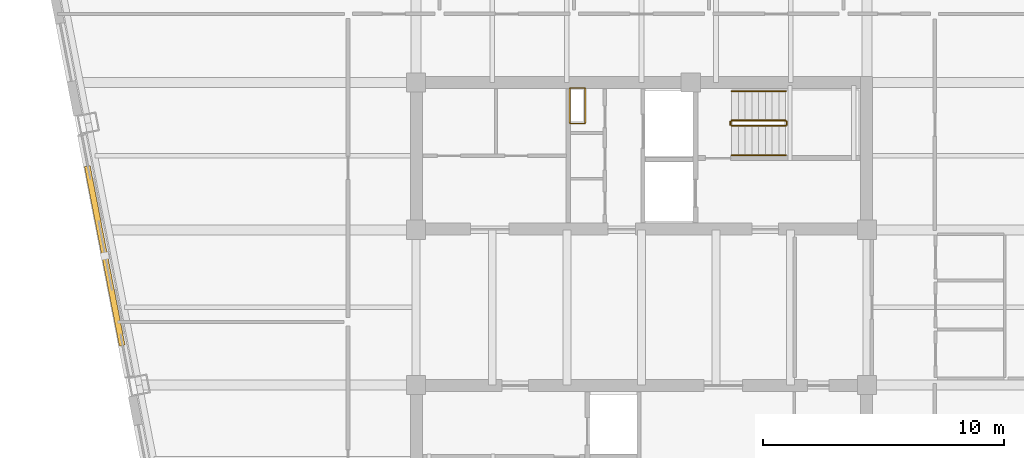
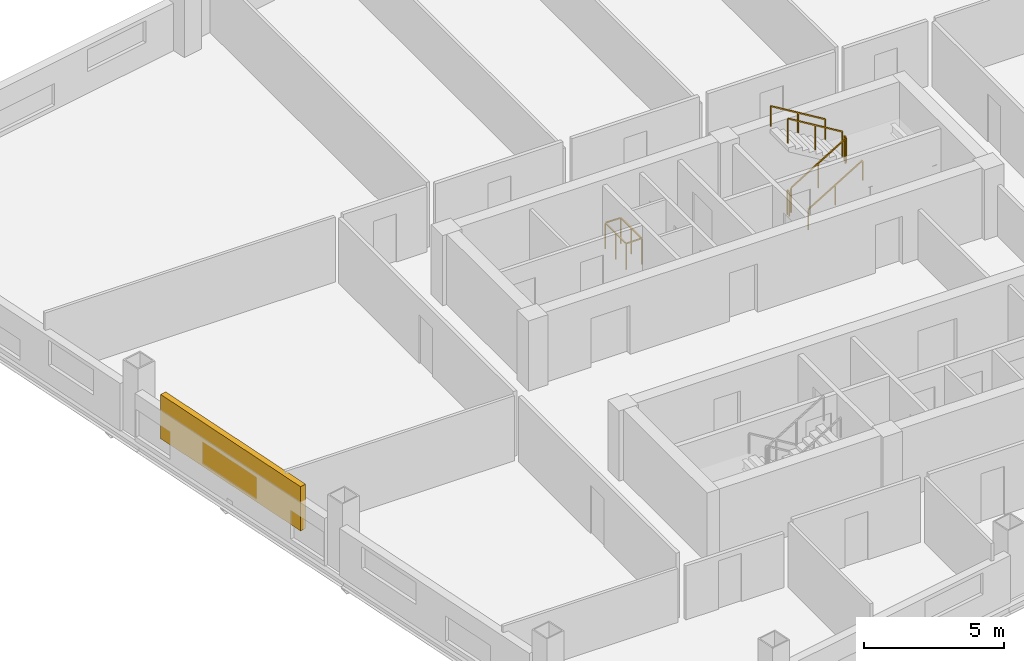
# One storey, part 8 of 9: 7 railings, 1 shading device.
"""IFC4 building model written with IfcOpenShell, lengths in metres."""

from ifc_helpers import new_model, si_unit, direction, frame, origin, origin_2d, place, context, subcontext, project, spatial, rectangle, extrude, material, type_object, element, save


model = new_model("IFC4")

# Units and contexts
model_context = context("Model", 3, precision=1e-05, world=origin(), true_north=direction((0.0, 1.0)))
body_context = subcontext(model_context, "Body", "Model", "MODEL_VIEW")
ifc_project = project(units=[si_unit("LENGTHUNIT", "METRE"), si_unit("AREAUNIT", "SQUARE_METRE"), si_unit("VOLUMEUNIT", "CUBIC_METRE"), si_unit("PLANEANGLEUNIT", "RADIAN"), si_unit("MASSUNIT", "GRAM", prefix="KILO")], contexts=[model_context])

# Site, building, storey
site_placement = place(None, origin())
site = spatial("IfcSite", under=ifc_project, at=site_placement, CompositionType="ELEMENT")
building_placement = place(site_placement, origin())
building = spatial("IfcBuilding", under=site, at=building_placement, Name="Qhalaya Broadcast Tower", CompositionType="ELEMENT")
storey_placement = place(building_placement, frame((0.0, 0.0, 121.949951171875)))
storey = spatial("IfcBuildingStorey", under=building, at=storey_placement, Name="L35", CompositionType="ELEMENT", Elevation=121.949951171875)

# Railings
ifc_material_1 = material(Name="Powder-Coated Galvanised Steel", Category="steel")
railing_type_1 = type_object("IfcRailingType", Name="Stair Wall Handrail 900", PredefinedType="HANDRAIL", material=ifc_material_1)
railing_1_placement = place(storey_placement, frame((3.75, 6.929931640625, 0.16943359375)))
element("IfcRailing", 1, at=railing_1_placement, inside=storey, type_object=railing_type_1, Name="L35 ST-1 Stair Handrail 1", PredefinedType="HANDRAIL", context=body_context, shape_type="SweptSolid", body=[
    extrude(rectangle(XDim=0.048095703125, YDim=0.048095703125, at=origin_2d()), frame((0.0, 0.0, 0.8759765625), z_axis=(0.855512035549, 0.0, 0.517782924622), x_axis=(0.0, 1.0, 0.0)), (0.0, 0.0, 1.0), 2.618408203125),
    extrude(rectangle(XDim=0.0419921875, YDim=0.0419921875, at=origin_2d()), origin(), (0.0, 0.0, 1.0), 0.849853515625),
    extrude(rectangle(XDim=0.0419921875, YDim=0.0419921875, at=origin_2d()), frame((1.1201171875, 0.0, 0.677734375)), (0.0, 0.0, 1.0), 0.849853515625),
    extrude(rectangle(XDim=0.0419921875, YDim=0.0419921875, at=origin_2d()), frame((2.239990234375, 0.0, 1.355712890625)), (0.0, 0.0, 1.0), 0.849853515625),
])
railing_2_placement = place(storey_placement, frame((5.989990234375, 9.590087890625, 1.694580078125)))
element("IfcRailing", 2, at=railing_2_placement, inside=storey, type_object=railing_type_1, Name="L35 ST-1 Stair Handrail 2", PredefinedType="HANDRAIL", context=body_context, shape_type="SweptSolid", body=[
    extrude(rectangle(XDim=0.048095703125, YDim=0.048095703125, at=origin_2d()), frame((0.0, 0.0, 0.8759765625), z_axis=(-0.855553338991, 0.0, 0.51771467445), x_axis=(0.0, -1.0, 0.0)), (0.0, 0.0, 1.0), 2.6181640625),
    extrude(rectangle(XDim=0.0419921875, YDim=0.0419921875, at=origin_2d()), origin(), (0.0, 0.0, 1.0), 0.849853515625),
    extrude(rectangle(XDim=0.0419921875, YDim=0.0419921875, at=origin_2d()), frame((-1.1201171875, 0.0, 0.677734375)), (0.0, 0.0, 1.0), 0.849853515625),
    extrude(rectangle(XDim=0.0419921875, YDim=0.0419921875, at=origin_2d()), frame((-2.239990234375, 0.0, 1.35546875)), (0.0, 0.0, 1.0), 0.849853515625),
])
railing_type_2 = type_object("IfcRailingType", Name="Stair Well & Landing Guardrail 1100", PredefinedType="GUARDRAIL", material=ifc_material_1)
railing_3_placement = place(storey_placement, frame((-2.340087890625, 8.239990234375, 0.0)))
element("IfcRailing", 3, at=railing_3_placement, inside=storey, type_object=railing_type_2, Name="L35 Service Riser Opening Safety Guard NRSR", PredefinedType="GUARDRAIL", context=body_context, shape_type="SweptSolid", body=[
    extrude(rectangle(XDim=0.048095703125, YDim=0.048095703125, at=origin_2d()), frame((0.0, 0.02880859375, 1.1259765625), z_axis=(0.0, 1.0, 0.0), x_axis=(-1.0, 0.0, 0.0)), (0.0, 0.0, 1.0), 1.42236328125),
    extrude(rectangle(XDim=0.048095703125, YDim=0.048095703125, at=origin_2d()), frame((-0.02880859375, 1.47998046875, 1.1259765625), z_axis=(-1.0, 0.0, 0.0), x_axis=(0.0, -1.0, 0.0)), (0.0, 0.0, 1.0), 0.582275390625),
    extrude(rectangle(XDim=0.048095703125, YDim=0.048095703125, at=origin_2d()), frame((-0.639892578125, 1.451171875, 1.1259765625), z_axis=(0.0, -1.0, 0.0), x_axis=(1.0, 0.0, 0.0)), (0.0, 0.0, 1.0), 1.42236328125),
    extrude(rectangle(XDim=0.048095703125, YDim=0.048095703125, at=origin_2d()), frame((-0.611083984375, 0.0, 1.1259765625), z_axis=(1.0, 0.0, 0.0), x_axis=(0.0, 1.0, 0.0)), (0.0, 0.0, 1.0), 0.582275390625),
    extrude(rectangle(XDim=0.0419921875, YDim=0.0419921875, at=origin_2d()), origin(), (0.0, 0.0, 1.0), 1.099853515625),
    extrude(rectangle(XDim=0.0419921875, YDim=0.0419921875, at=origin_2d()), frame((0.0, 0.739990234375, 0.0)), (0.0, 0.0, 1.0), 1.099853515625),
    extrude(rectangle(XDim=0.0419921875, YDim=0.0419921875, at=origin_2d()), frame((0.0, 1.47998046875, 0.0)), (0.0, 0.0, 1.0), 1.099853515625),
    extrude(rectangle(XDim=0.0419921875, YDim=0.0419921875, at=origin_2d()), frame((-0.639892578125, 1.47998046875, 0.0)), (0.0, 0.0, 1.0), 1.099853515625),
    extrude(rectangle(XDim=0.0419921875, YDim=0.0419921875, at=origin_2d()), frame((-0.639892578125, 0.739990234375, 0.0)), (0.0, 0.0, 1.0), 1.099853515625),
    extrude(rectangle(XDim=0.0419921875, YDim=0.0419921875, at=origin_2d()), frame((-0.639892578125, 0.0, 0.0)), (0.0, 0.0, 1.0), 1.099853515625),
])
railing_4_placement = place(storey_placement, frame((3.75, 8.14990234375, 0.16943359375)))
element("IfcRailing", 4, at=railing_4_placement, inside=storey, type_object=railing_type_2, Name="L35 ST-1 Stair Guard 1", PredefinedType="GUARDRAIL", context=body_context, shape_type="SweptSolid", body=[
    extrude(rectangle(XDim=0.048095703125, YDim=0.048095703125, at=origin_2d()), frame((0.0, 0.0, 1.076171875), z_axis=(0.855512035549, 0.0, 0.517782924622), x_axis=(0.0, 1.0, 0.0)), (0.0, 0.0, 1.0), 2.618408203125),
    extrude(rectangle(XDim=0.0419921875, YDim=0.0419921875, at=origin_2d()), origin(), (0.0, 0.0, 1.0), 1.050048828125),
    extrude(rectangle(XDim=0.0419921875, YDim=0.0419921875, at=origin_2d()), frame((1.1201171875, 0.0, 0.677734375)), (0.0, 0.0, 1.0), 1.050048828125),
    extrude(rectangle(XDim=0.0419921875, YDim=0.0419921875, at=origin_2d()), frame((2.239990234375, 0.0, 1.355712890625)), (0.0, 0.0, 1.0), 1.050048828125),
])
railing_5_placement = place(storey_placement, frame((6.0400390625, 8.199951171875, 1.525146484375)))
element("IfcRailing", 5, at=railing_5_placement, inside=storey, type_object=railing_type_2, Name="L35 ST-1 Stair Guard 2", PredefinedType="GUARDRAIL", context=body_context, shape_type="SweptSolid", body=[
    extrude(rectangle(XDim=0.048095703125, YDim=0.048095703125, at=origin_2d()), frame((0.0, 0.0, 1.076171875), z_axis=(0.0, 1.0, 0.0), x_axis=(-1.0, 0.0, 0.0)), (0.0, 0.0, 1.0), 0.1201171875),
    extrude(rectangle(XDim=0.0419921875, YDim=0.0419921875, at=origin_2d()), origin(), (0.0, 0.0, 1.0), 1.050048828125),
    extrude(rectangle(XDim=0.0419921875, YDim=0.0419921875, at=origin_2d()), frame((0.0, 0.1201171875, 0.0)), (0.0, 0.0, 1.0), 1.050048828125),
])
railing_6_placement = place(storey_placement, frame((5.989990234375, 8.3701171875, 1.694580078125)))
element("IfcRailing", 6, at=railing_6_placement, inside=storey, type_object=railing_type_2, Name="L35 ST-1 Stair Guard 3", PredefinedType="GUARDRAIL", context=body_context, shape_type="SweptSolid", body=[
    extrude(rectangle(XDim=0.048095703125, YDim=0.048095703125, at=origin_2d()), frame((0.0, 0.0, 1.076171875), z_axis=(-0.855553338991, 0.0, 0.51771467445), x_axis=(0.0, -1.0, 0.0)), (0.0, 0.0, 1.0), 2.6181640625),
    extrude(rectangle(XDim=0.0419921875, YDim=0.0419921875, at=origin_2d()), origin(), (0.0, 0.0, 1.0), 1.050048828125),
    extrude(rectangle(XDim=0.0419921875, YDim=0.0419921875, at=origin_2d()), frame((-1.1201171875, 0.0, 0.677734375)), (0.0, 0.0, 1.0), 1.050048828125),
    extrude(rectangle(XDim=0.0419921875, YDim=0.0419921875, at=origin_2d()), frame((-2.239990234375, 0.0, 1.35546875)), (0.0, 0.0, 1.0), 1.050048828125),
])
railing_7_placement = place(storey_placement, frame((3.699951171875, 8.199951171875, 0.0)))
element("IfcRailing", 7, at=railing_7_placement, inside=storey, type_object=railing_type_2, Name="L35 ST-1 Stair Guard 4", PredefinedType="GUARDRAIL", context=body_context, shape_type="SweptSolid", body=[
    extrude(rectangle(XDim=0.048095703125, YDim=0.048095703125, at=origin_2d()), frame((0.0, 0.0, 1.076171875), z_axis=(0.0, 1.0, 0.0), x_axis=(-1.0, 0.0, 0.0)), (0.0, 0.0, 1.0), 0.1201171875),
    extrude(rectangle(XDim=0.0419921875, YDim=0.0419921875, at=origin_2d()), origin(), (0.0, 0.0, 1.0), 1.050048828125),
    extrude(rectangle(XDim=0.0419921875, YDim=0.0419921875, at=origin_2d()), frame((0.0, 0.1201171875, 0.0)), (0.0, 0.0, 1.0), 1.050048828125),
])

# Shading device
ifc_material_2 = material(Name="Fired Architectural Terracotta", Category="masonry")
shading_device_type = type_object("IfcShadingDeviceType", Name="Terracotta Baguette Solar Screen Assembly TBS-01", PredefinedType="USERDEFINED", material=ifc_material_2)
shading_device_placement = place(storey_placement, frame((-22.3125, 2.742919921875, 0.79248046875), z_axis=(0.0, 0.0, 1.0), x_axis=(0.190808995377, -0.981627183448, 0.0)))
element("IfcShadingDevice", 8, at=shading_device_placement, inside=storey, type_object=shading_device_type, Name="L35 Fired Terracotta Baguette Screen W", ObjectType="BAGUETTE", PredefinedType="USERDEFINED", context=body_context, shape_type="SweptSolid", body=[
    extrude(rectangle(XDim=7.60009765625, YDim=0.239990234375, at=origin_2d()), origin(), (0.0, 0.0, 1.0), 1.924072265625),
])

save(model, "model.ifc")
